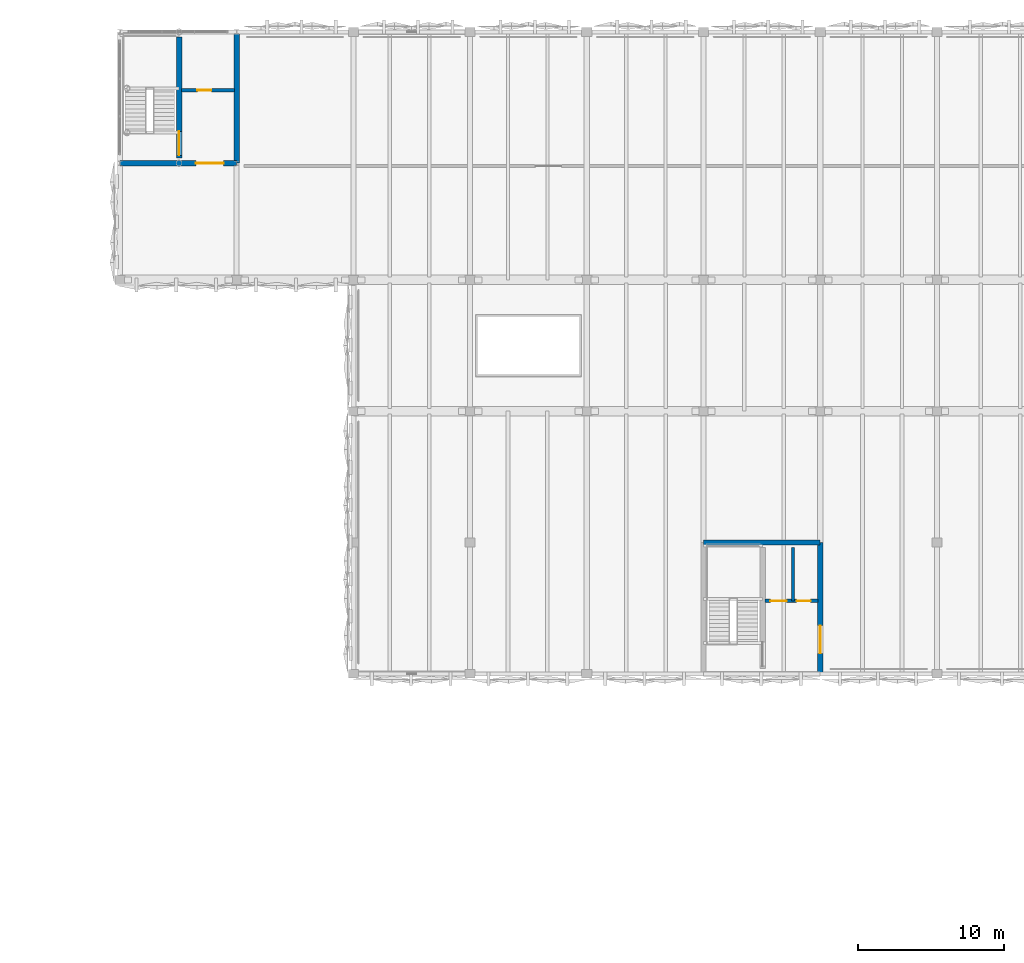
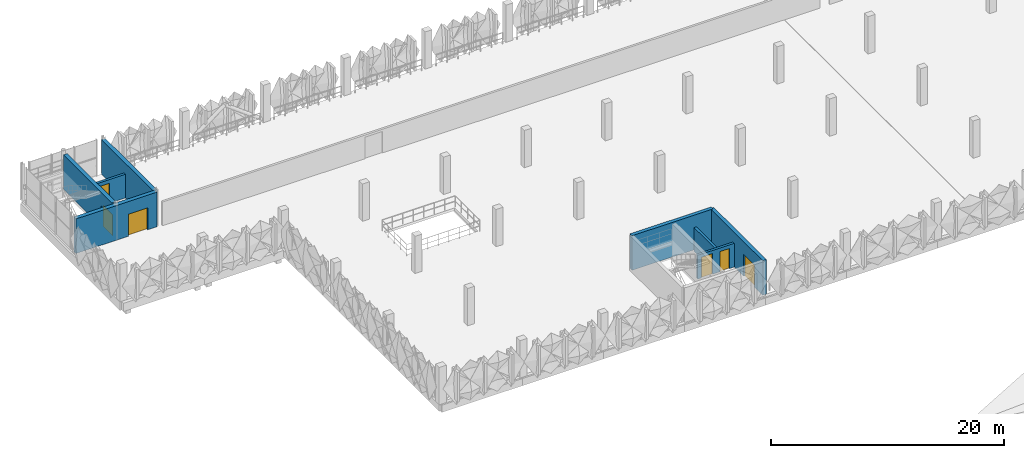
# One storey, part 28 of 52: 8 walls, 6 doors, 6 openings.
"""IFC4 building model written with IfcOpenShell, lengths in metres."""

from ifc_helpers import new_model, si_unit, derived_unit, direction, frame, frame_2d, origin, place, context, subcontext, project, spatial, rectangle, extrude, material, layer, layer_set, type_object, element, fill, save


model = new_model("IFC4")

# Units and contexts
model_context = context("Model", 3, precision=1e-05, world=origin(), true_north=direction((0.0, 1.0)))
body_context = subcontext(model_context, "Body", "Model", "MODEL_VIEW")
ifc_project = project(units=[si_unit("LENGTHUNIT", "METRE"), si_unit("AREAUNIT", "SQUARE_METRE"), si_unit("VOLUMEUNIT", "CUBIC_METRE"), si_unit("PLANEANGLEUNIT", "RADIAN"), si_unit("MASSUNIT", "GRAM", prefix="KILO"), si_unit("THERMODYNAMICTEMPERATUREUNIT", "KELVIN"), derived_unit("THERMALTRANSMITTANCEUNIT", [(si_unit("POWERUNIT", "WATT"), 1), (si_unit("AREAUNIT", "SQUARE_METRE"), -1), (si_unit("THERMODYNAMICTEMPERATUREUNIT", "KELVIN"), -1)])], contexts=[model_context])

# Site, building, storey
site_placement = place(None, origin())
site = spatial("IfcSite", under=ifc_project, at=site_placement, CompositionType="ELEMENT")
building_placement = place(site_placement, origin())
building = spatial("IfcBuilding", under=site, at=building_placement, Name="Haiyu Intermodal Mobility Hub", CompositionType="ELEMENT")
storey_placement = place(building_placement, frame((0.0, 0.0, 21.199951171875)))
storey = spatial("IfcBuildingStorey", under=building, at=storey_placement, Name="L05", CompositionType="ELEMENT", Elevation=21.199951171875)

# Wall, opening, door
ifc_material_1 = material(Name="Autoclaved aerated concrete block A5.0", Category="concrete")
ifc_layer_1 = layer(ifc_material_1, 0.22998046875)
ifc_layer_set_1 = layer_set([ifc_layer_1], Name="Autoclaved aerated concrete block A5.0")
wall_type_1 = type_object("IfcWallType", Name="WAL-WI01", PredefinedType="PARTITIONING", material=ifc_layer_set_1)
wall_1_placement = place(storey_placement, frame((26.2099609375, 144.0, 0.0), z_axis=(0.0, 0.0, 1.0), x_axis=(1.0, 0.0, 0.0)))
wall_1 = element("IfcWall", 1, at=wall_1_placement, inside=storey, type_object=wall_type_1, Name="WAL-CORE-C3-LFT-L05", PredefinedType="PARTITIONING", context=body_context, shape_type="SweptSolid", body=[
    extrude(rectangle(XDim=3.630126953125, YDim=0.22998046875, at=frame_2d((1.81494140625, 0.0))), origin(), (0.0, 0.0, 1.0), 2.47998046875),
])
opening_1_placement = place(wall_1_placement, frame((1.10009765625, 0.0, 0.0)))
opening_1 = element("IfcOpeningElement", 2, at=opening_1_placement, cuts=wall_1, Name="Opening DI07", PredefinedType="OPENING", context=body_context, shape_type="SweptSolid", body=[
    extrude(rectangle(XDim=0.949951171875, YDim=2.10009765625, at=frame_2d((0.47509765625, 1.050048828125))), frame((0.0, 0.125, 0.0), z_axis=(0.0, -1.0, 0.0), x_axis=(1.0, 0.0, 0.0)), (0.0, 0.0, 1.0), 0.25),
])
ifc_material_2 = material(Name="Steel Q355C", Category="steel")
door_type_1 = type_object("IfcDoorType", Name="DR-DI07", OperationType="NOTDEFINED", PredefinedType="DOOR", material=ifc_material_2)
door_1_placement = place(opening_1_placement, origin())
door_1 = element("IfcDoor", 3, at=door_1_placement, inside=storey, type_object=door_type_1, Name="Core C3 Accessible WC Door L05", OperationType="SINGLE_SWING_RIGHT", OverallHeight=2.10009765625, OverallWidth=0.949951171875, PredefinedType="DOOR", context=body_context, shape_type="SweptSolid", body=[
    extrude(rectangle(XDim=0.949951171875, YDim=2.10009765625, at=frame_2d((0.47509765625, 1.050048828125))), frame((0.0, 0.02490234375, 0.0), z_axis=(0.0, -1.0, 0.0), x_axis=(1.0, 0.0, 0.0)), (0.0, 0.0, 1.0), 0.050048828125),
])
fill(opening_1, door_1)

# Wall
wall_2_placement = place(storey_placement, frame((68.1298828125, 109.0, 0.0), z_axis=(0.0, 0.0, 1.0), x_axis=(0.0, 1.0, 0.0)))
element("IfcWall", 4, at=wall_2_placement, inside=storey, type_object=wall_type_1, Name="WAL-CORE-C5-LSH-L05", PredefinedType="PARTITIONING", context=body_context, shape_type="SweptSolid", body=[
    extrude(rectangle(XDim=3.64990234375, YDim=0.22998046875, at=frame_2d((1.824951171875, 0.0))), origin(), (0.0, 0.0, 1.0), 2.47998046875),
])

# Wall, openings, doors
wall_3_placement = place(storey_placement, frame((66.2099609375, 109.0, 0.0), z_axis=(0.0, 0.0, 1.0), x_axis=(1.0, 0.0, 0.0)))
wall_3 = element("IfcWall", 5, at=wall_3_placement, inside=storey, type_object=wall_type_1, Name="WAL-CORE-C5-LFT-L05", PredefinedType="PARTITIONING", context=body_context, shape_type="SweptSolid", body=[
    extrude(rectangle(XDim=3.630126953125, YDim=0.22998046875, at=frame_2d((1.81494140625, 0.0))), origin(), (0.0, 0.0, 1.0), 2.47998046875),
])
opening_2_placement = place(wall_3_placement, frame((0.3798828125, 0.0, 0.0)))
opening_2 = element("IfcOpeningElement", 6, at=opening_2_placement, cuts=wall_3, Name="Opening LD01", PredefinedType="OPENING", context=body_context, shape_type="SweptSolid", body=[
    extrude(rectangle(XDim=1.10009765625, YDim=2.14990234375, at=frame_2d((0.550048828125, 1.074951171875))), frame((0.0, 0.125, 0.0), z_axis=(0.0, -1.0, 0.0), x_axis=(1.0, 0.0, 0.0)), (0.0, 0.0, 1.0), 0.25),
])
opening_3_placement = place(wall_3_placement, frame((2.179931640625, 0.0, 0.0)))
opening_3 = element("IfcOpeningElement", 7, at=opening_3_placement, cuts=wall_3, Name="Opening DI07", PredefinedType="OPENING", context=body_context, shape_type="SweptSolid", body=[
    extrude(rectangle(XDim=0.949951171875, YDim=2.10009765625, at=frame_2d((0.47509765625, 1.050048828125))), frame((0.0, 0.125, 0.0), z_axis=(0.0, -1.0, 0.0), x_axis=(1.0, 0.0, 0.0)), (0.0, 0.0, 1.0), 0.25),
])
door_2_placement = place(opening_3_placement, origin())
door_2 = element("IfcDoor", 8, at=door_2_placement, inside=storey, type_object=door_type_1, Name="Core C5 Accessible WC Door L05", OperationType="SINGLE_SWING_RIGHT", OverallHeight=2.10009765625, OverallWidth=0.949951171875, PredefinedType="DOOR", context=body_context, shape_type="SweptSolid", body=[
    extrude(rectangle(XDim=0.949951171875, YDim=2.10009765625, at=frame_2d((0.47509765625, 1.050048828125))), frame((0.0, 0.02490234375, 0.0), z_axis=(0.0, -1.0, 0.0), x_axis=(1.0, 0.0, 0.0)), (0.0, 0.0, 1.0), 0.050048828125),
])
fill(opening_3, door_2)
door_type_2 = type_object("IfcDoorType", Name="DR-LD01", OperationType="DOUBLE_DOOR_SLIDING", PredefinedType="DOOR", material=ifc_material_2)
door_3_placement = place(opening_2_placement, origin())
door_3 = element("IfcDoor", 9, at=door_3_placement, inside=storey, type_object=door_type_2, Name="Lift FL-02 Sliding Landing Door L05", OperationType="SLIDING_TO_LEFT", OverallHeight=2.14990234375, OverallWidth=1.10009765625, PredefinedType="DOOR", context=body_context, shape_type="SweptSolid", body=[
    extrude(rectangle(XDim=1.10009765625, YDim=2.14990234375, at=frame_2d((0.550048828125, 1.074951171875))), frame((0.0, 0.02490234375, 0.0), z_axis=(0.0, -1.0, 0.0), x_axis=(1.0, 0.0, 0.0)), (0.0, 0.0, 1.0), 0.050048828125),
])
fill(opening_2, door_3)

# Wall, opening, door
ifc_material_3 = material(Name="Concrete C40", Category="concrete")
ifc_layer_2 = layer(ifc_material_3, 0.35009765625)
ifc_layer_set_2 = layer_set([ifc_layer_2], Name="Concrete C40")
wall_type_2 = type_object("IfcWallType", Name="WAL-WS02", PredefinedType="SHEAR", material=ifc_layer_set_2)
wall_4_placement = place(storey_placement, frame((70.0, 104.0, 0.0), z_axis=(0.0, 0.0, 1.0), x_axis=(0.0, 1.0, 0.0)))
wall_4 = element("IfcWall", 10, at=wall_4_placement, inside=storey, type_object=wall_type_2, Name="WAL-CORE-C5-E-L05", PredefinedType="SHEAR", context=body_context, shape_type="SweptSolid", body=[
    extrude(rectangle(XDim=9.0, YDim=0.35009765625, at=frame_2d((4.5, 0.0))), origin(), (0.0, 0.0, 1.0), 3.6201171875),
])
opening_4_placement = place(wall_4_placement, frame((1.39990234375, 0.0, 0.0)))
opening_4 = element("IfcOpeningElement", 11, at=opening_4_placement, cuts=wall_4, Name="Opening DI01", PredefinedType="OPENING", context=body_context, shape_type="SweptSolid", body=[
    extrude(rectangle(XDim=1.89990234375, YDim=2.300048828125, at=frame_2d((0.949951171875, 1.14990234375))), frame((0.0, 0.18505859375, 0.0), z_axis=(0.0, -1.0, 0.0), x_axis=(1.0, 0.0, 0.0)), (0.0, 0.0, 1.0), 0.3701171875),
])
door_type_3 = type_object("IfcDoorType", Name="DR-DI01", OperationType="DOUBLE_DOOR_SINGLE_SWING", PredefinedType="DOOR", material=ifc_material_2)
door_4_placement = place(opening_4_placement, origin())
door_4 = element("IfcDoor", 12, at=door_4_placement, inside=storey, type_object=door_type_3, Name="Core C5 Lobby Fire Door L05", OperationType="SINGLE_SWING_RIGHT", OverallHeight=2.300048828125, OverallWidth=1.89990234375, PredefinedType="DOOR", context=body_context, shape_type="SweptSolid", body=[
    extrude(rectangle(XDim=1.89990234375, YDim=2.300048828125, at=frame_2d((0.949951171875, 1.14990234375))), frame((0.0, 0.02490234375, 0.0), z_axis=(0.0, -1.0, 0.0), x_axis=(1.0, 0.0, 0.0)), (0.0, 0.0, 1.0), 0.050048828125),
])
fill(opening_4, door_4)

# Wall
wall_5_placement = place(storey_placement, frame((70.0, 113.0, 0.0), z_axis=(0.0, 0.0, 1.0), x_axis=(-1.0, 0.0, 0.0)))
element("IfcWall", 13, at=wall_5_placement, inside=storey, type_object=wall_type_2, Name="WAL-CORE-C5-N-L05", PredefinedType="SHEAR", context=body_context, shape_type="SweptSolid", body=[
    extrude(rectangle(XDim=8.0, YDim=0.35009765625, at=frame_2d((4.0, 0.0))), origin(), (0.0, 0.0, 1.0), 3.6201171875),
])

# Wall, opening, door
ifc_layer_3 = layer(ifc_material_3, 0.3798828125)
ifc_layer_set_3 = layer_set([ifc_layer_3], Name="Concrete C40")
wall_type_3 = type_object("IfcWallType", Name="WAL-WS03", PredefinedType="SHEAR", material=ifc_layer_set_3)
wall_6_placement = place(storey_placement, frame((22.0, 139.0, 0.0), z_axis=(0.0, 0.0, 1.0), x_axis=(1.0, 0.0, 0.0)))
wall_6 = element("IfcWall", 14, at=wall_6_placement, inside=storey, type_object=wall_type_3, Name="WAL-CORE-C3-S-L05", PredefinedType="SHEAR", context=body_context, shape_type="SweptSolid", body=[
    extrude(rectangle(XDim=8.0, YDim=0.3798828125, at=frame_2d((4.0, 0.0))), origin(), (0.0, 0.0, 1.0), 3.6201171875),
])
opening_5_placement = place(wall_6_placement, frame((5.199951171875, 0.0, 0.0)))
opening_5 = element("IfcOpeningElement", 15, at=opening_5_placement, cuts=wall_6, Name="Opening DI01", PredefinedType="OPENING", context=body_context, shape_type="SweptSolid", body=[
    extrude(rectangle(XDim=1.89990234375, YDim=2.300048828125, at=frame_2d((0.949951171875, 1.14990234375))), frame((0.0, 0.199951171875, 0.0), z_axis=(0.0, -1.0, 0.0), x_axis=(1.0, 0.0, 0.0)), (0.0, 0.0, 1.0), 0.39990234375),
])
door_5_placement = place(opening_5_placement, origin())
door_5 = element("IfcDoor", 16, at=door_5_placement, inside=storey, type_object=door_type_3, Name="Core C3 Lobby Fire Door L05", OperationType="SINGLE_SWING_RIGHT", OverallHeight=2.300048828125, OverallWidth=1.89990234375, PredefinedType="DOOR", context=body_context, shape_type="SweptSolid", body=[
    extrude(rectangle(XDim=1.89990234375, YDim=2.300048828125, at=frame_2d((0.949951171875, 1.14990234375))), frame((0.0, 0.02490234375, 0.0), z_axis=(0.0, -1.0, 0.0), x_axis=(1.0, 0.0, 0.0)), (0.0, 0.0, 1.0), 0.050048828125),
])
fill(opening_5, door_5)

# Wall
wall_7_placement = place(storey_placement, frame((30.0, 139.0, 0.0), z_axis=(0.0, 0.0, 1.0), x_axis=(0.0, 1.0, 0.0)))
element("IfcWall", 17, at=wall_7_placement, inside=storey, type_object=wall_type_3, Name="WAL-CORE-C3-E-L05", PredefinedType="SHEAR", context=body_context, shape_type="SweptSolid", body=[
    extrude(rectangle(XDim=9.0, YDim=0.3798828125, at=frame_2d((4.5, 0.0))), origin(), (0.0, 0.0, 1.0), 3.6201171875),
])

# Wall, opening, door
wall_8_placement = place(storey_placement, frame((26.050048828125, 139.35009765625, 0.0), z_axis=(0.0, 0.0, 1.0), x_axis=(0.0, 1.0, 0.0)))
wall_8 = element("IfcWall", 18, at=wall_8_placement, inside=storey, type_object=wall_type_3, Name="WAL-CORE-C3-MID-L05", PredefinedType="SHEAR", context=body_context, shape_type="SweptSolid", body=[
    extrude(rectangle(XDim=8.2998046875, YDim=0.3798828125, at=frame_2d((4.14990234375, 0.0))), origin(), (0.0, 0.0, 1.0), 3.6201171875),
])
opening_6_placement = place(wall_8_placement, frame((0.179931640625, 0.0, 0.0)))
opening_6 = element("IfcOpeningElement", 19, at=opening_6_placement, cuts=wall_8, Name="Opening DI02", PredefinedType="OPENING", context=body_context, shape_type="SweptSolid", body=[
    extrude(rectangle(XDim=1.64990234375, YDim=2.199951171875, at=frame_2d((0.824951171875, 1.10009765625))), frame((0.0, 0.199951171875, 0.0), z_axis=(0.0, -1.0, 0.0), x_axis=(1.0, 0.0, 0.0)), (0.0, 0.0, 1.0), 0.39990234375),
])
door_type_4 = type_object("IfcDoorType", Name="DR-DI02", OperationType="DOUBLE_DOOR_SINGLE_SWING", PredefinedType="DOOR", material=ifc_material_2)
door_6_placement = place(opening_6_placement, origin())
door_6 = element("IfcDoor", 20, at=door_6_placement, inside=storey, type_object=door_type_4, Name="Stair ST02 Fire Door L05", OperationType="SINGLE_SWING_RIGHT", OverallHeight=2.199951171875, OverallWidth=1.64990234375, PredefinedType="DOOR", context=body_context, shape_type="SweptSolid", body=[
    extrude(rectangle(XDim=1.64990234375, YDim=2.199951171875, at=frame_2d((0.824951171875, 1.10009765625))), frame((0.0, 0.02490234375, 0.0), z_axis=(0.0, -1.0, 0.0), x_axis=(1.0, 0.0, 0.0)), (0.0, 0.0, 1.0), 0.050048828125),
])
fill(opening_6, door_6)

save(model, "model.ifc")
